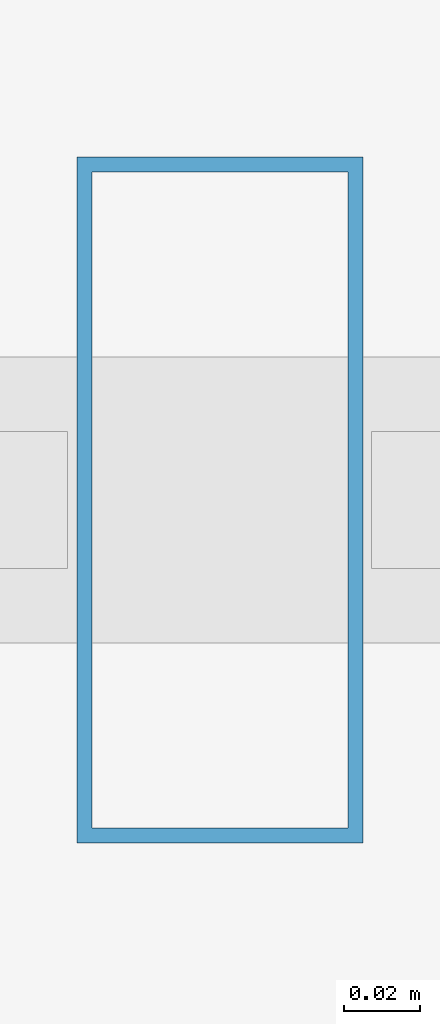
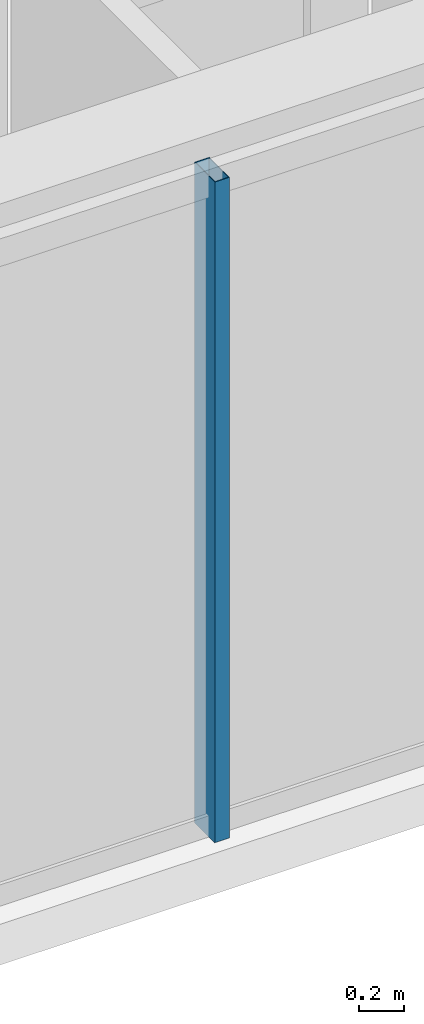
# One storey, part 4 of 31: 1 member, 1 element without a shape of its own.
"""IFC4 building model written with IfcOpenShell, lengths in metres."""

from ifc_helpers import new_model, si_unit, direction, frame, origin, origin_2d, place, context, subcontext, project, spatial, hollow_rectangle, extrude, material, layer, layer_set, material_profile, profile_set, type_object, element, aggregate, save


model = new_model("IFC4")

# Units and contexts
model_context = context("Model", 3, precision=1e-05, world=origin(), true_north=direction((0.0, 1.0)))
body_context = subcontext(model_context, "Body", "Model", "MODEL_VIEW")
ifc_project = project(units=[si_unit("LENGTHUNIT", "METRE"), si_unit("AREAUNIT", "SQUARE_METRE"), si_unit("VOLUMEUNIT", "CUBIC_METRE"), si_unit("PLANEANGLEUNIT", "RADIAN"), si_unit("MASSUNIT", "GRAM", prefix="KILO")], contexts=[model_context])

# Site, building, storey
site_placement = place(None, origin())
site = spatial("IfcSite", under=ifc_project, at=site_placement, CompositionType="ELEMENT")
building_placement = place(site_placement, origin())
building = spatial("IfcBuilding", under=site, at=building_placement, Name="Ndaravel Arena Tower", CompositionType="ELEMENT")
storey_placement = place(building_placement, frame((0.0, 0.0, 100.60009765625)))
storey = spatial("IfcBuildingStorey", under=building, at=storey_placement, Name="L23", CompositionType="ELEMENT", Elevation=100.60009765625)

# Curtain wall, member
ifc_material_1 = material(Name="Aluminium", Category="aluminium")
ifc_layer = layer(ifc_material_1, 0.179931640625)
ifc_layer_set = layer_set([ifc_layer], Name="Aluminium")
curtain_wall_type = type_object("IfcCurtainWallType", Name="CW-SYS-03", PredefinedType="NOTDEFINED", material=ifc_layer_set)
curtain_wall_placement = place(storey_placement, origin())
curtain_wall = element("IfcCurtainWall", 1, at=curtain_wall_placement, inside=storey, type_object=curtain_wall_type, Name="L23 Faceted Crystal Curtain Wall CW-L23-E01", PredefinedType="NOTDEFINED")
ifc_material_2 = material(Name="Aluminium", Category="aluminium")
ifc_material_profile = material_profile(ifc_material_2, hollow_rectangle(XDim=0.074951171875, YDim=0.179931640625, WallThickness=0.00390625, at=origin_2d()), Name="CW MULLION 75x180x4")
ifc_profile_set = profile_set([ifc_material_profile], Name="Aluminium")
member_type = type_object("IfcMemberType", Name="MEM-CW-MUL180", PredefinedType="MULLION", material=ifc_profile_set)
member_placement = place(storey_placement, frame((33.591064453125, 5.159912109375, 0.0), z_axis=(0.0, 0.0, 1.0), x_axis=(1.0, 0.0, 0.0)))
member = element("IfcMember", 2, at=member_placement, type_object=member_type, Name="CW-L23-E01 Mullion 02", PredefinedType="MULLION", context=body_context, shape_type="SweptSolid", body=[
    extrude(hollow_rectangle(XDim=0.074951171875, YDim=0.179931640625, WallThickness=0.00390625, at=origin_2d()), origin(), (0.0, 0.0, 1.0), 3.579833984375),
])
aggregate(curtain_wall, [member])

save(model, "model.ifc")
